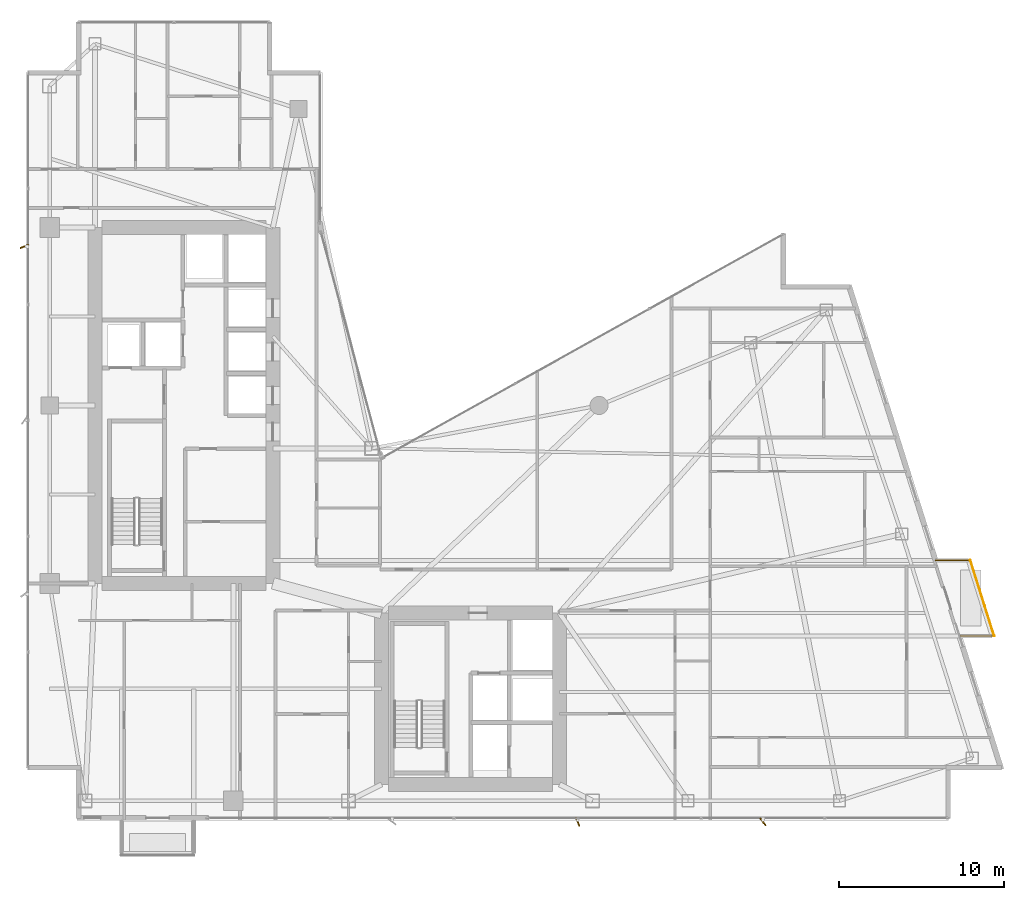
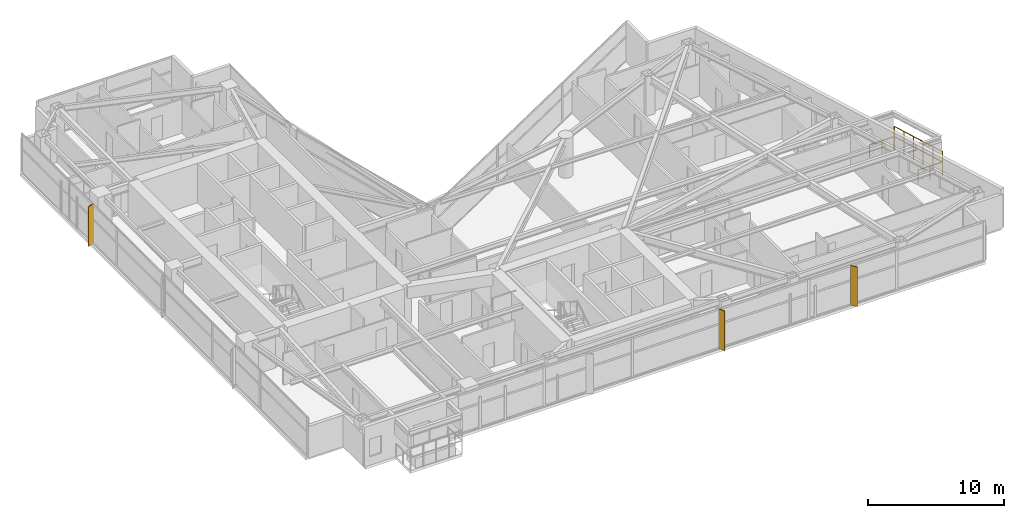
# One storey, part 28 of 28: 3 shading devices, 2 railings.
"""IFC4 building model written with IfcOpenShell, lengths in metres."""

from ifc_helpers import new_model, si_unit, direction, frame, origin, origin_2d, place, context, subcontext, project, spatial, rectangle, circle, extrude, material, type_object, element, save


model = new_model("IFC4")

# Units and contexts
model_context = context("Model", 3, precision=1e-05, world=origin(), true_north=direction((0.0, 1.0)))
body_context = subcontext(model_context, "Body", "Model", "MODEL_VIEW")
ifc_project = project(units=[si_unit("LENGTHUNIT", "METRE"), si_unit("AREAUNIT", "SQUARE_METRE"), si_unit("VOLUMEUNIT", "CUBIC_METRE"), si_unit("PLANEANGLEUNIT", "RADIAN"), si_unit("MASSUNIT", "GRAM", prefix="KILO")], contexts=[model_context])

# Site, building, storey
site_placement = place(None, origin())
site = spatial("IfcSite", under=ifc_project, at=site_placement, CompositionType="ELEMENT")
building_placement = place(site_placement, origin())
building = spatial("IfcBuilding", under=site, at=building_placement, Name="Calvorn Quay Hotel", CompositionType="ELEMENT")
storey_placement = place(building_placement, frame((0.0, 0.0, 127.800048828125)))
storey = spatial("IfcBuildingStorey", under=building, at=storey_placement, Name="L31", CompositionType="ELEMENT", Elevation=127.800048828125)

# Railings
ifc_material_1 = material(Name="Pale Anodised Aluminium and Laminated Glass", Category="aluminium")
railing_type = type_object("IfcRailingType", Name="RLG-BALUSTRADE-1200", PredefinedType="BALUSTRADE", material=ifc_material_1)
railing_1_placement = place(storey_placement, frame((56.68896484375, 13.60009765625, 0.0)))
element("IfcRailing", 1, at=railing_1_placement, inside=storey, type_object=railing_type, Name="Tree Balcony Perimeter Balustrade L31-BALC-E", PredefinedType="BALUSTRADE", context=body_context, shape_type="SweptSolid", body=[
    extrude(circle(Radius=0.02392578125, at=origin_2d()), frame((0.0, 0.0, 1.17578125), z_axis=(1.0, 0.0, 0.0), x_axis=(0.0, 1.0, 0.0)), (0.0, 0.0, 1.0), 2.10009765625),
    extrude(circle(Radius=0.02392578125, at=origin_2d()), frame((2.10009765625, 0.0, 1.17578125), z_axis=(-0.300450487966, 0.953797412599, 0.0), x_axis=(-0.953797412599, -0.300450487966, 0.0)), (0.0, 0.0, 1.0), 4.82275390625),
    extrude(circle(Radius=0.02392578125, at=origin_2d()), frame((0.651123046875, 4.599853515625, 1.17578125), z_axis=(-1.0, 0.0, 0.0), x_axis=(0.0, -1.0, 0.0)), (0.0, 0.0, 1.0), 2.10009765625),
    extrude(circle(Radius=0.02099609375, at=origin_2d()), origin(), (0.0, 0.0, 1.0), 1.15185546875),
    extrude(circle(Radius=0.02099609375, at=origin_2d()), frame((1.050048828125, 0.0, 0.0)), (0.0, 0.0, 1.0), 1.15185546875),
    extrude(circle(Radius=0.02099609375, at=origin_2d()), frame((2.10009765625, 0.0, 0.0)), (0.0, 0.0, 1.0), 1.15185546875),
    extrude(circle(Radius=0.02099609375, at=origin_2d()), frame((1.810302734375, 0.919921875, 0.0)), (0.0, 0.0, 1.0), 1.15185546875),
    extrude(circle(Radius=0.02099609375, at=origin_2d()), frame((1.5205078125, 1.83984375, 0.0)), (0.0, 0.0, 1.0), 1.15185546875),
    extrude(circle(Radius=0.02099609375, at=origin_2d()), frame((1.230712890625, 2.760009765625, 0.0)), (0.0, 0.0, 1.0), 1.15185546875),
    extrude(circle(Radius=0.02099609375, at=origin_2d()), frame((0.94091796875, 3.679931640625, 0.0)), (0.0, 0.0, 1.0), 1.15185546875),
    extrude(circle(Radius=0.02099609375, at=origin_2d()), frame((0.651123046875, 4.599853515625, 0.0)), (0.0, 0.0, 1.0), 1.15185546875),
    extrude(circle(Radius=0.02099609375, at=origin_2d()), frame((-0.39892578125, 4.599853515625, 0.0)), (0.0, 0.0, 1.0), 1.15185546875),
    extrude(circle(Radius=0.02099609375, at=origin_2d()), frame((-1.448974609375, 4.599853515625, 0.0)), (0.0, 0.0, 1.0), 1.15185546875),
])
railing_2_placement = place(storey_placement, frame((58.7890625, 13.60009765625, 0.89990234375)))
element("IfcRailing", 2, at=railing_2_placement, inside=storey, type_object=railing_type, Name="Planter Kerb High Safety Screen L31-BALC-E", PredefinedType="BALUSTRADE", context=body_context, shape_type="SweptSolid", body=[
    extrude(circle(Radius=0.02392578125, at=origin_2d()), frame((0.0, 0.0, 1.19580078125), z_axis=(-0.300450487966, 0.953797412599, 0.0), x_axis=(-0.953797412599, -0.300450487966, 0.0)), (0.0, 0.0, 1.0), 4.82275390625),
    extrude(circle(Radius=0.02099609375, at=origin_2d()), origin(), (0.0, 0.0, 1.0), 1.171875),
    extrude(circle(Radius=0.02099609375, at=origin_2d()), frame((-0.289794921875, 0.919921875, 0.0)), (0.0, 0.0, 1.0), 1.171875),
    extrude(circle(Radius=0.02099609375, at=origin_2d()), frame((-0.57958984375, 1.83984375, 0.0)), (0.0, 0.0, 1.0), 1.171875),
    extrude(circle(Radius=0.02099609375, at=origin_2d()), frame((-0.869384765625, 2.760009765625, 0.0)), (0.0, 0.0, 1.0), 1.171875),
    extrude(circle(Radius=0.02099609375, at=origin_2d()), frame((-1.1591796875, 3.679931640625, 0.0)), (0.0, 0.0, 1.0), 1.171875),
    extrude(circle(Radius=0.02099609375, at=origin_2d()), frame((-1.448974609375, 4.599853515625, 0.0)), (0.0, 0.0, 1.0), 1.171875),
])

# Shading devices
ifc_material_2 = material(Name="Champagne Bronze Anodised Aluminium 6063-T6", Category="aluminium")
shading_device_type_1 = type_object("IfcShadingDeviceType", Name="SHD-FIN-A1", PredefinedType="USERDEFINED", material=ifc_material_2)
for number, where, z_axis, x_axis, name in (
    (3, (-0.080078125, 37.25, 0.0), (0.0, 0.0, 1.0), (0.927183854567, 0.374606593416, 0.0), "Diagonal Sun-Shading Fin L31-W03"),
    (4, (33.5, 2.320068359375, 0.0), (0.0, 0.0, 1.0), (-0.374606593416, 0.927183854567, 0.0), "Diagonal Sun-Shading Fin L31-S02"),
):
    element("IfcShadingDevice", number, at=place(storey_placement, frame(where, z_axis=z_axis, x_axis=x_axis)), inside=storey, type_object=shading_device_type_1, Name=name, ObjectType="FIN", PredefinedType="USERDEFINED", context=body_context, shape_type="SweptSolid", body=[
        extrude(rectangle(XDim=0.550048828125, YDim=0.080078125, at=origin_2d()), origin(), (0.0, 0.0, 1.0), 3.56005859375),
    ])
ifc_material_3 = material(Name="Champagne Bronze Anodised Aluminium 6063-T6", Category="aluminium")
shading_device_type_2 = type_object("IfcShadingDeviceType", Name="SHD-FIN-A2", PredefinedType="USERDEFINED", material=ifc_material_3)
shading_device_placement = place(storey_placement, frame((44.75, 2.320068359375, 0.0), z_axis=(0.0, 0.0, 1.0), x_axis=(-0.615661475326, 0.788010753607, 0.0)))
element("IfcShadingDevice", 5, at=shading_device_placement, inside=storey, type_object=shading_device_type_2, Name="Diagonal Sun-Shading Fin L31-S03", ObjectType="FIN", PredefinedType="USERDEFINED", context=body_context, shape_type="SweptSolid", body=[
    extrude(rectangle(XDim=0.550048828125, YDim=0.080078125, at=origin_2d()), origin(), (0.0, 0.0, 1.0), 3.56005859375),
])

save(model, "model.ifc")
